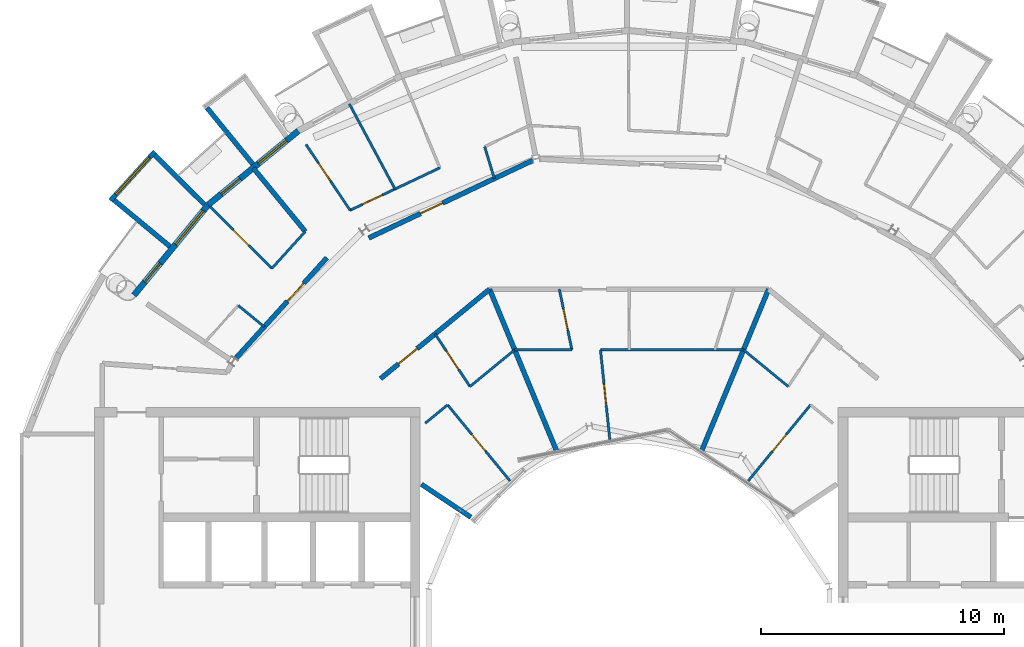
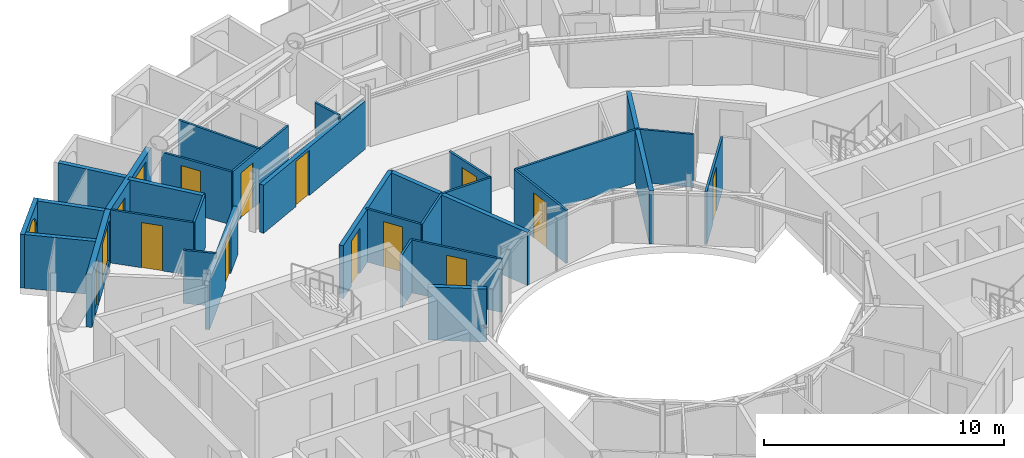
# One storey, part 20 of 27: 30 walls, 13 doors, 3 windows, 16 openings.
"""IFC4 building model written with IfcOpenShell, lengths in metres."""

from ifc_helpers import new_model, si_unit, direction, frame, frame_2d, origin, place, context, subcontext, project, spatial, rectangle, circle, extrude, material, layer, layer_set, type_object, element, fill, save


model = new_model("IFC4")

# Units and contexts
model_context = context("Model", 3, precision=1e-05, world=origin(), true_north=direction((0.0, 1.0)))
body_context = subcontext(model_context, "Body", "Model", "MODEL_VIEW")
ifc_project = project(units=[si_unit("LENGTHUNIT", "METRE"), si_unit("AREAUNIT", "SQUARE_METRE"), si_unit("VOLUMEUNIT", "CUBIC_METRE"), si_unit("PLANEANGLEUNIT", "RADIAN"), si_unit("MASSUNIT", "GRAM", prefix="KILO")], contexts=[model_context])

# Site, building, storey
site_placement = place(None, origin())
site = spatial("IfcSite", under=ifc_project, at=site_placement, CompositionType="ELEMENT")
building_placement = place(site_placement, origin())
building = spatial("IfcBuilding", under=site, at=building_placement, Name="Maasbend Ring Residences", CompositionType="ELEMENT")
storey_placement = place(building_placement, frame((0.0, 0.0, 243.199951171875)))
storey = spatial("IfcBuildingStorey", under=building, at=storey_placement, Name="L70", CompositionType="ELEMENT", Elevation=243.199951171875)

# Wall, opening, door
ifc_material_1 = material(Name="Concrete C30/37", Category="concrete")
ifc_layer_1 = layer(ifc_material_1, 0.199951171875)
ifc_layer_set_1 = layer_set([ifc_layer_1], Name="Concrete C30/37")
wall_type_1 = type_object("IfcWallType", Name="CORRIDOR WALL 200 CONCRETE", PredefinedType="PARTITIONING", material=ifc_layer_set_1)
wall_1_placement = place(storey_placement, frame((-10.22802734375, 10.175048828125, 0.0), z_axis=(0.0, 0.0, 1.0), x_axis=(0.772989261861, 0.634419105204, 0.0)))
wall_1 = element("IfcWall", 1, at=wall_1_placement, inside=storey, type_object=wall_type_1, Name="U-L70-w106", PredefinedType="PARTITIONING", context=body_context, shape_type="SweptSolid", body=[
    extrude(rectangle(XDim=5.803466796875, YDim=0.199951171875, at=frame_2d((2.90185546875, 0.0))), origin(), (0.0, 0.0, 1.0), 2.699951171875),
])
opening_1_placement = place(wall_1_placement, frame((0.951904296875, 0.0, 0.0)))
opening_1 = element("IfcOpeningElement", 2, at=opening_1_placement, cuts=wall_1, Name="Opening D-7029", PredefinedType="OPENING", context=body_context, shape_type="SweptSolid", body=[
    extrude(rectangle(XDim=1.0, YDim=2.300048828125, at=frame_2d((0.5, 1.14990234375))), frame((0.0, 0.10986328125, 0.0), z_axis=(0.0, -1.0, 0.0), x_axis=(1.0, 0.0, 0.0)), (0.0, 0.0, 1.0), 0.219970703125),
])
ifc_material_2 = material(Name="Timber, fire-rated, painted", Category="wood")
door_type_1 = type_object("IfcDoorType", Name="FLAT ENTRANCE DOOR 1000 X 2300 FIRE-RATED", OperationType="NOTDEFINED", PredefinedType="DOOR", material=ifc_material_2)
door_1_placement = place(opening_1_placement, origin())
door_1 = element("IfcDoor", 3, at=door_1_placement, inside=storey, type_object=door_type_1, Name="D-7029", OperationType="SINGLE_SWING_LEFT", OverallHeight=2.300048828125, OverallWidth=1.0, PredefinedType="DOOR", context=body_context, shape_type="SweptSolid", body=[
    extrude(rectangle(XDim=1.0, YDim=2.300048828125, at=frame_2d((0.5, 1.14990234375))), frame((0.0, 0.02490234375, 0.0), z_axis=(0.0, -1.0, 0.0), x_axis=(1.0, 0.0, 0.0)), (0.0, 0.0, 1.0), 0.050048828125),
])
fill(opening_1, door_1)

wall_2_placement = place(storey_placement, frame((-10.7119140625, 15.965087890625, 0.0), z_axis=(0.0, 0.0, 1.0), x_axis=(0.903916894048, 0.427708134895, 0.0)))
wall_2 = element("IfcWall", 4, at=wall_2_placement, inside=storey, type_object=wall_type_1, Name="U-L70-w108", PredefinedType="PARTITIONING", context=body_context, shape_type="SweptSolid", body=[
    extrude(rectangle(XDim=7.465087890625, YDim=0.199951171875, at=frame_2d((3.732421875, 0.0))), origin(), (0.0, 0.0, 1.0), 2.449951171875),
])
opening_2_placement = place(wall_2_placement, frame((2.35693359375, 0.0, 0.0)))
opening_2 = element("IfcOpeningElement", 5, at=opening_2_placement, cuts=wall_2, Name="Opening D-7013", PredefinedType="OPENING", context=body_context, shape_type="SweptSolid", body=[
    extrude(rectangle(XDim=1.0, YDim=2.300048828125, at=frame_2d((0.5, 1.14990234375))), frame((0.0, 0.10986328125, 0.0), z_axis=(0.0, -1.0, 0.0), x_axis=(1.0, 0.0, 0.0)), (0.0, 0.0, 1.0), 0.219970703125),
])
door_2_placement = place(opening_2_placement, origin())
door_2 = element("IfcDoor", 6, at=door_2_placement, inside=storey, type_object=door_type_1, Name="D-7013", OperationType="SINGLE_SWING_LEFT", OverallHeight=2.300048828125, OverallWidth=1.0, PredefinedType="DOOR", context=body_context, shape_type="SweptSolid", body=[
    extrude(rectangle(XDim=1.0, YDim=2.300048828125, at=frame_2d((0.5, 1.14990234375))), frame((0.0, 0.02490234375, 0.0), z_axis=(0.0, -1.0, 0.0), x_axis=(1.0, 0.0, 0.0)), (0.0, 0.0, 1.0), 0.050048828125),
])
fill(opening_2, door_2)

wall_3_placement = place(storey_placement, frame((-16.195068359375, 11.001953125, 0.0), z_axis=(0.0, 0.0, 1.0), x_axis=(0.671619657805, 0.740896102871, 0.0)))
wall_3 = element("IfcWall", 7, at=wall_3_placement, inside=storey, type_object=wall_type_1, Name="U-L70-w111", PredefinedType="PARTITIONING", context=body_context, shape_type="SweptSolid", body=[
    extrude(rectangle(XDim=5.599853515625, YDim=0.199951171875, at=frame_2d((2.7998046875, 0.0))), origin(), (0.0, 0.0, 1.0), 2.449951171875),
])
opening_3_placement = place(wall_3_placement, frame((3.18310546875, 0.0, 0.0)))
opening_3 = element("IfcOpeningElement", 8, at=opening_3_placement, cuts=wall_3, Name="Opening D-7018", PredefinedType="OPENING", context=body_context, shape_type="SweptSolid", body=[
    extrude(rectangle(XDim=1.0, YDim=2.300048828125, at=frame_2d((0.5, 1.14990234375))), frame((0.0, 0.10986328125, 0.0), z_axis=(0.0, -1.0, 0.0), x_axis=(1.0, 0.0, 0.0)), (0.0, 0.0, 1.0), 0.219970703125),
])
door_3_placement = place(opening_3_placement, origin())
door_3 = element("IfcDoor", 9, at=door_3_placement, inside=storey, type_object=door_type_1, Name="D-7018", OperationType="SINGLE_SWING_RIGHT", OverallHeight=2.300048828125, OverallWidth=1.0, PredefinedType="DOOR", context=body_context, shape_type="SweptSolid", body=[
    extrude(rectangle(XDim=1.0, YDim=2.300048828125, at=frame_2d((0.5, 1.14990234375))), frame((0.0, 0.02490234375, 0.0), z_axis=(0.0, -1.0, 0.0), x_axis=(1.0, 0.0, 0.0)), (0.0, 0.0, 1.0), 0.050048828125),
])
fill(opening_3, door_3)

# Wall
ifc_material_3 = material(Name="Pale anodised aluminium panel", Category="aluminium")
ifc_layer_2 = layer(ifc_material_3, 0.199951171875)
ifc_layer_set_2 = layer_set([ifc_layer_2], Name="EW-BOX")
wall_type_2 = type_object("IfcWallType", Name="EW-BOX", PredefinedType="SOLIDWALL", material=ifc_layer_set_2)
wall_4_placement = place(storey_placement, frame((-15.47900390625, 19.0, -0.030029296875), z_axis=(0.0, 0.0, 1.0), x_axis=(-0.631209771017, 0.775612161439, 0.0)))
element("IfcWall", 10, at=wall_4_placement, inside=storey, type_object=wall_type_2, Name="Box side wall N17 right", PredefinedType="SOLIDWALL", context=body_context, shape_type="SweptSolid", body=[
    extrude(rectangle(XDim=2.992431640625, YDim=0.199951171875, at=frame_2d((1.49609375, 0.0))), origin(), (0.0, 0.0, 1.0), 2.72998046875),
])

# Wall, opening, window
wall_5_placement = place(storey_placement, frame((-19.512939453125, 19.52001953125, -0.030029296875), z_axis=(0.0, 0.0, 1.0), x_axis=(-0.671487056022, -0.741016284298, 0.0)))
wall_5 = element("IfcWall", 11, at=wall_5_placement, inside=storey, type_object=wall_type_2, Name="Box front N19", PredefinedType="SOLIDWALL", context=body_context, shape_type="SweptSolid", body=[
    extrude(rectangle(XDim=2.7177734375, YDim=0.199951171875, at=frame_2d((1.35888671875, 0.0))), origin(), (0.0, 0.0, 1.0), 2.72998046875),
])
opening_4_placement = place(wall_5_placement, frame((0.319091796875, 0.0, 0.330078125)))
opening_4 = element("IfcOpeningElement", 12, at=opening_4_placement, cuts=wall_5, Name="Opening W-RD", PredefinedType="OPENING", context=body_context, shape_type="SweptSolid", body=[
    extrude(circle(Radius=1.0400390625, at=frame_2d((1.0400390625, 1.0400390625))), frame((0.0, 0.10986328125, 0.0), z_axis=(0.0, -1.0, 0.0), x_axis=(1.0, 0.0, 0.0)), (0.0, 0.0, 1.0), 0.219970703125),
])
ifc_material_4 = material(Name="Aluminium and clear glass", Category="aluminium")
window_type_1 = type_object("IfcWindowType", Name="W-RD", PartitioningType="SINGLE_PANEL", PredefinedType="WINDOW", material=ifc_material_4)
window_1_placement = place(opening_4_placement, origin())
window_1 = element("IfcWindow", 13, at=window_1_placement, inside=storey, type_object=window_type_1, Name="Round window N19", OverallHeight=2.080078125, OverallWidth=2.080078125, PartitioningType="SINGLE_PANEL", PredefinedType="WINDOW", context=body_context, shape_type="SweptSolid", body=[
    extrude(circle(Radius=1.0400390625, at=frame_2d((1.0400390625, 1.0400390625))), frame((0.0, 0.030029296875, 0.0), z_axis=(0.0, -1.0, 0.0), x_axis=(1.0, 0.0, 0.0)), (0.0, 0.0, 1.0), 0.06005859375),
])
fill(opening_4, window_1)

# Walls
wall_6_placement = place(storey_placement, frame((-17.469970703125, 17.343994140625, -0.030029296875), z_axis=(0.0, 0.0, 1.0), x_axis=(-0.709896457854, 0.704306055012, 0.0)))
element("IfcWall", 14, at=wall_6_placement, inside=storey, type_object=wall_type_2, Name="Box side wall N19 left", PredefinedType="SOLIDWALL", context=body_context, shape_type="SweptSolid", body=[
    extrude(rectangle(XDim=2.88232421875, YDim=0.199951171875, at=frame_2d((1.441162109375, 0.0))), origin(), (0.0, 0.0, 1.0), 2.72998046875),
])
wall_7_placement = place(storey_placement, frame((-18.887939453125, 15.614990234375, -0.030029296875), z_axis=(0.0, 0.0, 1.0), x_axis=(-0.770489638069, 0.637452521862, 0.0)))
element("IfcWall", 15, at=wall_7_placement, inside=storey, type_object=wall_type_2, Name="Box side wall N19 right", PredefinedType="SOLIDWALL", context=body_context, shape_type="SweptSolid", body=[
    extrude(rectangle(XDim=2.9931640625, YDim=0.199951171875, at=frame_2d((1.49658203125, 0.0))), origin(), (0.0, 0.0, 1.0), 2.72998046875),
])

# Wall, openings, door, window
ifc_material_5 = material(Name="Aluminium clad insulated panel", Category="aluminium")
ifc_layer_3 = layer(ifc_material_5, 0.25)
ifc_layer_set_3 = layer_set([ifc_layer_3], Name="EW-GL")
wall_type_3 = type_object("IfcWallType", Name="EW-GL", PredefinedType="SOLIDWALL", material=ifc_layer_set_3)
wall_8_placement = place(storey_placement, frame((-13.611083984375, 20.37109375, 0.0), z_axis=(0.0, 0.0, 1.0), x_axis=(-0.773007538262, -0.634396836208, 0.0)))
wall_8 = element("IfcWall", 16, at=wall_8_placement, inside=storey, type_object=wall_type_3, Name="External wall N09", PredefinedType="SOLIDWALL", context=body_context, shape_type="SweptSolid", body=[
    extrude(rectangle(XDim=4.80322265625, YDim=0.25, at=frame_2d((2.401611328125, 0.0))), origin(), (0.0, 0.0, 1.0), 2.699951171875),
])
opening_5_placement = place(wall_8_placement, frame((0.6201171875, 0.0, 0.300048828125)))
opening_5 = element("IfcOpeningElement", 17, at=opening_5_placement, cuts=wall_8, Name="Opening W-BN", PredefinedType="OPENING", context=body_context, shape_type="SweptSolid", body=[
    extrude(rectangle(XDim=1.5, YDim=2.10009765625, at=frame_2d((0.75, 1.050048828125))), frame((0.0, 0.135009765625, 0.0), z_axis=(0.0, -1.0, 0.0), x_axis=(1.0, 0.0, 0.0)), (0.0, 0.0, 1.0), 0.27001953125),
])
opening_6_placement = place(wall_8_placement, frame((3.09912109375, 0.0, 0.0)))
opening_6 = element("IfcOpeningElement", 18, at=opening_6_placement, cuts=wall_8, Name="Opening D-LG", PredefinedType="OPENING", context=body_context, shape_type="SweptSolid", body=[
    extrude(rectangle(XDim=1.0, YDim=2.199951171875, at=frame_2d((0.5, 1.10009765625))), frame((0.0, 0.135009765625, 0.0), z_axis=(0.0, -1.0, 0.0), x_axis=(1.0, 0.0, 0.0)), (0.0, 0.0, 1.0), 0.27001953125),
])
ifc_material_6 = material(Name="Aluminium and clear glass", Category="aluminium")
door_type_2 = type_object("IfcDoorType", Name="D-LG", OperationType="SINGLE_SWING_LEFT", PredefinedType="DOOR", material=ifc_material_6)
door_4_placement = place(opening_6_placement, origin())
door_4 = element("IfcDoor", 19, at=door_4_placement, inside=storey, type_object=door_type_2, Name="Loggia door N18", OperationType="SINGLE_SWING_LEFT", OverallHeight=2.199951171875, OverallWidth=1.0, PredefinedType="DOOR", context=body_context, shape_type="SweptSolid", body=[
    extrude(rectangle(XDim=1.0, YDim=2.199951171875, at=frame_2d((0.5, 1.10009765625))), frame((0.0, 0.02490234375, 0.0), z_axis=(0.0, -1.0, 0.0), x_axis=(1.0, 0.0, 0.0)), (0.0, 0.0, 1.0), 0.050048828125),
])
fill(opening_6, door_4)
ifc_material_7 = material(Name="Aluminium and clear glass", Category="aluminium")
window_type_2 = type_object("IfcWindowType", Name="W-BN", PartitioningType="SINGLE_PANEL", PredefinedType="WINDOW", material=ifc_material_7)
window_2_placement = place(opening_5_placement, origin())
window_2 = element("IfcWindow", 20, at=window_2_placement, inside=storey, type_object=window_type_2, Name="Window N17 room to box", OverallHeight=2.10009765625, OverallWidth=1.5, PartitioningType="SINGLE_PANEL", PredefinedType="WINDOW", context=body_context, shape_type="SweptSolid", body=[
    extrude(rectangle(XDim=1.5, YDim=2.10009765625, at=frame_2d((0.75, 1.050048828125))), frame((0.0, 0.030029296875, 0.0), z_axis=(0.0, -1.0, 0.0), x_axis=(1.0, 0.0, 0.0)), (0.0, 0.0, 1.0), 0.06005859375),
])
fill(opening_5, window_2)

wall_9_placement = place(storey_placement, frame((-17.323974609375, 17.323974609375, 0.0), z_axis=(0.0, 0.0, 1.0), x_axis=(-0.634396836208, -0.773007538262, 0.0)))
wall_9 = element("IfcWall", 21, at=wall_9_placement, inside=storey, type_object=wall_type_3, Name="External wall N10", PredefinedType="SOLIDWALL", context=body_context, shape_type="SweptSolid", body=[
    extrude(rectangle(XDim=4.80322265625, YDim=0.25, at=frame_2d((2.401611328125, 0.0))), origin(), (0.0, 0.0, 1.0), 2.699951171875),
])
opening_7_placement = place(wall_9_placement, frame((0.3037109375, 0.0, 0.300048828125)))
opening_7 = element("IfcOpeningElement", 22, at=opening_7_placement, cuts=wall_9, Name="Opening W-BX", PredefinedType="OPENING", context=body_context, shape_type="SweptSolid", body=[
    extrude(rectangle(XDim=1.800048828125, YDim=2.10009765625, at=frame_2d((0.89990234375, 1.050048828125))), frame((0.0, 0.135009765625, 0.0), z_axis=(0.0, -1.0, 0.0), x_axis=(1.0, 0.0, 0.0)), (0.0, 0.0, 1.0), 0.27001953125),
])
opening_8_placement = place(wall_9_placement, frame((3.09912109375, 0.0, 0.0)))
opening_8 = element("IfcOpeningElement", 23, at=opening_8_placement, cuts=wall_9, Name="Opening D-LG", PredefinedType="OPENING", context=body_context, shape_type="SweptSolid", body=[
    extrude(rectangle(XDim=1.0, YDim=2.199951171875, at=frame_2d((0.5, 1.10009765625))), frame((0.0, 0.135009765625, 0.0), z_axis=(0.0, -1.0, 0.0), x_axis=(1.0, 0.0, 0.0)), (0.0, 0.0, 1.0), 0.27001953125),
])
door_5_placement = place(opening_8_placement, origin())
door_5 = element("IfcDoor", 24, at=door_5_placement, inside=storey, type_object=door_type_2, Name="Loggia door N20", OperationType="SINGLE_SWING_LEFT", OverallHeight=2.199951171875, OverallWidth=1.0, PredefinedType="DOOR", context=body_context, shape_type="SweptSolid", body=[
    extrude(rectangle(XDim=1.0, YDim=2.199951171875, at=frame_2d((0.5, 1.10009765625))), frame((0.0, 0.02490234375, 0.0), z_axis=(0.0, -1.0, 0.0), x_axis=(1.0, 0.0, 0.0)), (0.0, 0.0, 1.0), 0.050048828125),
])
fill(opening_8, door_5)
ifc_material_8 = material(Name="Aluminium and clear glass", Category="aluminium")
window_type_3 = type_object("IfcWindowType", Name="W-BX", PartitioningType="DOUBLE_PANEL_VERTICAL", PredefinedType="WINDOW", material=ifc_material_8)
window_3_placement = place(opening_7_placement, origin())
window_3 = element("IfcWindow", 25, at=window_3_placement, inside=storey, type_object=window_type_3, Name="Window N19 room to box", OverallHeight=2.10009765625, OverallWidth=1.800048828125, PartitioningType="SINGLE_PANEL", PredefinedType="WINDOW", context=body_context, shape_type="SweptSolid", body=[
    extrude(rectangle(XDim=1.800048828125, YDim=2.10009765625, at=frame_2d((0.89990234375, 1.050048828125))), frame((0.0, 0.030029296875, 0.0), z_axis=(0.0, -1.0, 0.0), x_axis=(1.0, 0.0, 0.0)), (0.0, 0.0, 1.0), 0.06005859375),
])
fill(opening_7, window_3)

# Wall, opening, door
ifc_material_9 = material(Name="Gypsum board on steel studs", Category="steel")
ifc_layer_4 = layer(ifc_material_9, 0.10009765625)
ifc_layer_set_4 = layer_set([ifc_layer_4], Name="PARTITION 100 GYPSUM")
wall_type_4 = type_object("IfcWallType", Name="PARTITION 100 GYPSUM", PredefinedType="PARTITIONING", material=ifc_layer_set_4)
wall_10_placement = place(storey_placement, frame((-17.22998046875, 17.240966796875, 0.0), z_axis=(0.0, 0.0, 1.0), x_axis=(0.706833687935, -0.707379769007, 0.0)))
wall_10 = element("IfcWall", 26, at=wall_10_placement, inside=storey, type_object=wall_type_4, Name="U-L70-w036", PredefinedType="PARTITIONING", context=body_context, shape_type="SweptSolid", body=[
    extrude(rectangle(XDim=3.57666015625, YDim=0.10009765625, at=frame_2d((1.788330078125, 0.0))), origin(), (0.0, 0.0, 1.0), 2.699951171875),
])
opening_9_placement = place(wall_10_placement, frame((1.337890625, 0.0, 0.0)))
opening_9 = element("IfcOpeningElement", 27, at=opening_9_placement, cuts=wall_10, Name="Opening D-7020", PredefinedType="OPENING", context=body_context, shape_type="SweptSolid", body=[
    extrude(rectangle(XDim=0.89990234375, YDim=2.300048828125, at=frame_2d((0.449951171875, 1.14990234375))), frame((0.0, 0.06005859375, 0.0), z_axis=(0.0, -1.0, 0.0), x_axis=(1.0, 0.0, 0.0)), (0.0, 0.0, 1.0), 0.1201171875),
])
ifc_material_10 = material(Name="Timber, painted", Category="wood")
door_type_3 = type_object("IfcDoorType", Name="INTERNAL DOOR 900 X 2300", OperationType="NOTDEFINED", PredefinedType="DOOR", material=ifc_material_10)
door_6_placement = place(opening_9_placement, origin())
door_6 = element("IfcDoor", 28, at=door_6_placement, inside=storey, type_object=door_type_3, Name="D-7020", OperationType="SINGLE_SWING_LEFT", OverallHeight=2.300048828125, OverallWidth=0.89990234375, PredefinedType="DOOR", context=body_context, shape_type="SweptSolid", body=[
    extrude(rectangle(XDim=0.89990234375, YDim=2.300048828125, at=frame_2d((0.449951171875, 1.14990234375))), frame((0.0, 0.02490234375, 0.0), z_axis=(0.0, -1.0, 0.0), x_axis=(1.0, 0.0, 0.0)), (0.0, 0.0, 1.0), 0.050048828125),
])
fill(opening_9, door_6)

# Wall
wall_11_placement = place(storey_placement, frame((-16.0810546875, 13.18896484375, 0.0), z_axis=(0.0, 0.0, 1.0), x_axis=(0.773321325714, -0.634014295735, 0.0)))
element("IfcWall", 29, at=wall_11_placement, inside=storey, type_object=wall_type_4, Name="U-L70-w037", PredefinedType="PARTITIONING", context=body_context, shape_type="SweptSolid", body=[
    extrude(rectangle(XDim=1.38623046875, YDim=0.10009765625, at=frame_2d((0.693115234375, 0.0))), origin(), (0.0, 0.0, 1.0), 2.699951171875),
])

# Wall, opening, door
wall_12_placement = place(storey_placement, frame((-13.2939453125, 19.81298828125, 0.0), z_axis=(0.0, 0.0, 1.0), x_axis=(0.557289656456, -0.830318155171, 0.0)))
wall_12 = element("IfcWall", 30, at=wall_12_placement, inside=storey, type_object=wall_type_4, Name="U-L70-w041", PredefinedType="PARTITIONING", context=body_context, shape_type="SweptSolid", body=[
    extrude(rectangle(XDim=3.26025390625, YDim=0.10009765625, at=frame_2d((1.630126953125, 0.0))), origin(), (0.0, 0.0, 1.0), 2.699951171875),
])
opening_10_placement = place(wall_12_placement, frame((0.922119140625, 0.0, 0.0)))
opening_10 = element("IfcOpeningElement", 31, at=opening_10_placement, cuts=wall_12, Name="Opening D-7017", PredefinedType="OPENING", context=body_context, shape_type="SweptSolid", body=[
    extrude(rectangle(XDim=0.89990234375, YDim=2.300048828125, at=frame_2d((0.449951171875, 1.14990234375))), frame((0.0, 0.06005859375, 0.0), z_axis=(0.0, -1.0, 0.0), x_axis=(1.0, 0.0, 0.0)), (0.0, 0.0, 1.0), 0.1201171875),
])
door_7_placement = place(opening_10_placement, origin())
door_7 = element("IfcDoor", 32, at=door_7_placement, inside=storey, type_object=door_type_3, Name="D-7017", OperationType="SINGLE_SWING_LEFT", OverallHeight=2.300048828125, OverallWidth=0.89990234375, PredefinedType="DOOR", context=body_context, shape_type="SweptSolid", body=[
    extrude(rectangle(XDim=0.89990234375, YDim=2.300048828125, at=frame_2d((0.449951171875, 1.14990234375))), frame((0.0, 0.02490234375, 0.0), z_axis=(0.0, -1.0, 0.0), x_axis=(1.0, 0.0, 0.0)), (0.0, 0.0, 1.0), 0.050048828125),
])
fill(opening_10, door_7)

# Wall
wall_13_placement = place(storey_placement, frame((-11.510986328125, 21.486083984375, 0.0), z_axis=(0.0, 0.0, 1.0), x_axis=(0.472243548981, -0.88146811085, 0.0)))
element("IfcWall", 33, at=wall_13_placement, inside=storey, type_object=wall_type_4, Name="U-L70-w043", PredefinedType="PARTITIONING", context=body_context, shape_type="SweptSolid", body=[
    extrude(rectangle(XDim=3.978759765625, YDim=0.10009765625, at=frame_2d((1.9892578125, 0.0))), origin(), (0.0, 0.0, 1.0), 2.699951171875),
])

# Wall, opening, door
wall_14_placement = place(storey_placement, frame((-7.98388671875, 12.01708984375, 0.0), z_axis=(0.0, 0.0, 1.0), x_axis=(0.553289146762, -0.832989267683, 0.0)))
wall_14 = element("IfcWall", 34, at=wall_14_placement, inside=storey, type_object=wall_type_4, Name="U-L70-w046", PredefinedType="PARTITIONING", context=body_context, shape_type="SweptSolid", body=[
    extrude(rectangle(XDim=2.5966796875, YDim=0.10009765625, at=frame_2d((1.29833984375, 0.0))), origin(), (0.0, 0.0, 1.0), 2.699951171875),
])
opening_11_placement = place(wall_14_placement, frame((0.847900390625, 0.0, 0.0)))
opening_11 = element("IfcOpeningElement", 35, at=opening_11_placement, cuts=wall_14, Name="Opening D-7030", PredefinedType="OPENING", context=body_context, shape_type="SweptSolid", body=[
    extrude(rectangle(XDim=0.89990234375, YDim=2.300048828125, at=frame_2d((0.449951171875, 1.14990234375))), frame((0.0, 0.06005859375, 0.0), z_axis=(0.0, -1.0, 0.0), x_axis=(1.0, 0.0, 0.0)), (0.0, 0.0, 1.0), 0.1201171875),
])
door_8_placement = place(opening_11_placement, origin())
door_8 = element("IfcDoor", 36, at=door_8_placement, inside=storey, type_object=door_type_3, Name="D-7030", OperationType="SINGLE_SWING_RIGHT", OverallHeight=2.300048828125, OverallWidth=0.89990234375, PredefinedType="DOOR", context=body_context, shape_type="SweptSolid", body=[
    extrude(rectangle(XDim=0.89990234375, YDim=2.300048828125, at=frame_2d((0.449951171875, 1.14990234375))), frame((0.0, 0.02490234375, 0.0), z_axis=(0.0, -1.0, 0.0), x_axis=(1.0, 0.0, 0.0)), (0.0, 0.0, 1.0), 0.050048828125),
])
fill(opening_11, door_8)

wall_15_placement = place(storey_placement, frame((-7.467041015625, 9.09912109375, 0.0), z_axis=(0.0, 0.0, 1.0), x_axis=(0.634313840507, -0.773075644256, 0.0)))
wall_15 = element("IfcWall", 37, at=wall_15_placement, inside=storey, type_object=wall_type_4, Name="U-L70-w049", PredefinedType="PARTITIONING", context=body_context, shape_type="SweptSolid", body=[
    extrude(rectangle(XDim=4.05029296875, YDim=0.10009765625, at=frame_2d((2.025146484375, 0.0))), origin(), (0.0, 0.0, 1.0), 2.699951171875),
])
opening_12_placement = place(wall_15_placement, frame((1.574951171875, 0.0, 0.0)))
opening_12 = element("IfcOpeningElement", 38, at=opening_12_placement, cuts=wall_15, Name="Opening D-7031", PredefinedType="OPENING", context=body_context, shape_type="SweptSolid", body=[
    extrude(rectangle(XDim=0.89990234375, YDim=2.300048828125, at=frame_2d((0.449951171875, 1.14990234375))), frame((0.0, 0.06005859375, 0.0), z_axis=(0.0, -1.0, 0.0), x_axis=(1.0, 0.0, 0.0)), (0.0, 0.0, 1.0), 0.1201171875),
])
door_9_placement = place(opening_12_placement, origin())
door_9 = element("IfcDoor", 39, at=door_9_placement, inside=storey, type_object=door_type_3, Name="D-7031", OperationType="SINGLE_SWING_RIGHT", OverallHeight=2.300048828125, OverallWidth=0.89990234375, PredefinedType="DOOR", context=body_context, shape_type="SweptSolid", body=[
    extrude(rectangle(XDim=0.89990234375, YDim=2.300048828125, at=frame_2d((0.449951171875, 1.14990234375))), frame((0.0, 0.02490234375, 0.0), z_axis=(0.0, -1.0, 0.0), x_axis=(1.0, 0.0, 0.0)), (0.0, 0.0, 1.0), 0.050048828125),
])
fill(opening_12, door_9)

# Wall
wall_16_placement = place(storey_placement, frame((-5.94189453125, 19.72412109375, 0.0), z_axis=(0.0, 0.0, 1.0), x_axis=(0.288309871528, -0.957537162715, 0.0)))
element("IfcWall", 40, at=wall_16_placement, inside=storey, type_object=wall_type_4, Name="U-L70-w051", PredefinedType="PARTITIONING", context=body_context, shape_type="SweptSolid", body=[
    extrude(rectangle(XDim=1.37353515625, YDim=0.10009765625, at=frame_2d((0.686767578125, 0.0))), origin(), (0.0, 0.0, 1.0), 2.699951171875),
])

# Wall, opening, door
wall_17_placement = place(storey_placement, frame((-2.8701171875, 13.85791015625, 0.0), z_axis=(0.0, 0.0, 1.0), x_axis=(0.202656323101, -0.979249924538, 0.0)))
wall_17 = element("IfcWall", 41, at=wall_17_placement, inside=storey, type_object=wall_type_4, Name="U-L70-w057", PredefinedType="PARTITIONING", context=body_context, shape_type="SweptSolid", body=[
    extrude(rectangle(XDim=2.546630859375, YDim=0.10009765625, at=frame_2d((1.2734375, 0.0))), origin(), (0.0, 0.0, 1.0), 2.699951171875),
])
opening_13_placement = place(wall_17_placement, frame((0.822998046875, 0.0, 0.0)))
opening_13 = element("IfcOpeningElement", 42, at=opening_13_placement, cuts=wall_17, Name="Opening D-7025", PredefinedType="OPENING", context=body_context, shape_type="SweptSolid", body=[
    extrude(rectangle(XDim=0.89990234375, YDim=2.300048828125, at=frame_2d((0.449951171875, 1.14990234375))), frame((0.0, 0.06005859375, 0.0), z_axis=(0.0, -1.0, 0.0), x_axis=(1.0, 0.0, 0.0)), (0.0, 0.0, 1.0), 0.1201171875),
])
door_10_placement = place(opening_13_placement, origin())
door_10 = element("IfcDoor", 43, at=door_10_placement, inside=storey, type_object=door_type_3, Name="D-7025", OperationType="SINGLE_SWING_RIGHT", OverallHeight=2.300048828125, OverallWidth=0.89990234375, PredefinedType="DOOR", context=body_context, shape_type="SweptSolid", body=[
    extrude(rectangle(XDim=0.89990234375, YDim=2.300048828125, at=frame_2d((0.449951171875, 1.14990234375))), frame((0.0, 0.02490234375, 0.0), z_axis=(0.0, -1.0, 0.0), x_axis=(1.0, 0.0, 0.0)), (0.0, 0.0, 1.0), 0.050048828125),
])
fill(opening_13, door_10)

wall_18_placement = place(storey_placement, frame((-1.177001953125, 11.364013671875, 0.0), z_axis=(0.0, 0.0, 1.0), x_axis=(0.103130722413, -0.994667810927, 0.0)))
wall_18 = element("IfcWall", 44, at=wall_18_placement, inside=storey, type_object=wall_type_4, Name="U-L70-w060", PredefinedType="PARTITIONING", context=body_context, shape_type="SweptSolid", body=[
    extrude(rectangle(XDim=3.704833984375, YDim=0.10009765625, at=frame_2d((1.8525390625, 0.0))), origin(), (0.0, 0.0, 1.0), 2.699951171875),
])
opening_14_placement = place(wall_18_placement, frame((1.402099609375, 0.0, 0.0)))
opening_14 = element("IfcOpeningElement", 45, at=opening_14_placement, cuts=wall_18, Name="Opening D-7028", PredefinedType="OPENING", context=body_context, shape_type="SweptSolid", body=[
    extrude(rectangle(XDim=0.89990234375, YDim=2.300048828125, at=frame_2d((0.449951171875, 1.14990234375))), frame((0.0, 0.06005859375, 0.0), z_axis=(0.0, -1.0, 0.0), x_axis=(1.0, 0.0, 0.0)), (0.0, 0.0, 1.0), 0.1201171875),
])
door_11_placement = place(opening_14_placement, origin())
door_11 = element("IfcDoor", 46, at=door_11_placement, inside=storey, type_object=door_type_3, Name="D-7028", OperationType="SINGLE_SWING_RIGHT", OverallHeight=2.300048828125, OverallWidth=0.89990234375, PredefinedType="DOOR", context=body_context, shape_type="SweptSolid", body=[
    extrude(rectangle(XDim=0.89990234375, YDim=2.300048828125, at=frame_2d((0.449951171875, 1.14990234375))), frame((0.0, 0.02490234375, 0.0), z_axis=(0.0, -1.0, 0.0), x_axis=(1.0, 0.0, 0.0)), (0.0, 0.0, 1.0), 0.050048828125),
])
fill(opening_14, door_11)

wall_19_placement = place(storey_placement, frame((4.89794921875, 5.968017578125, 0.0), z_axis=(0.0, 0.0, 1.0), x_axis=(0.634313840507, 0.773075644256, 0.0)))
wall_19 = element("IfcWall", 47, at=wall_19_placement, inside=storey, type_object=wall_type_4, Name="U-L70-w074", PredefinedType="PARTITIONING", context=body_context, shape_type="SweptSolid", body=[
    extrude(rectangle(XDim=4.05029296875, YDim=0.10009765625, at=frame_2d((2.025146484375, 0.0))), origin(), (0.0, 0.0, 1.0), 2.699951171875),
])
opening_15_placement = place(wall_19_placement, frame((1.574951171875, 0.0, 0.0)))
opening_15 = element("IfcOpeningElement", 48, at=opening_15_placement, cuts=wall_19, Name="Opening D-7023", PredefinedType="OPENING", context=body_context, shape_type="SweptSolid", body=[
    extrude(rectangle(XDim=0.89990234375, YDim=2.300048828125, at=frame_2d((0.449951171875, 1.14990234375))), frame((0.0, 0.06005859375, 0.0), z_axis=(0.0, -1.0, 0.0), x_axis=(1.0, 0.0, 0.0)), (0.0, 0.0, 1.0), 0.1201171875),
])
door_12_placement = place(opening_15_placement, origin())
door_12 = element("IfcDoor", 49, at=door_12_placement, inside=storey, type_object=door_type_3, Name="D-7023", OperationType="SINGLE_SWING_RIGHT", OverallHeight=2.300048828125, OverallWidth=0.89990234375, PredefinedType="DOOR", context=body_context, shape_type="SweptSolid", body=[
    extrude(rectangle(XDim=0.89990234375, YDim=2.300048828125, at=frame_2d((0.449951171875, 1.14990234375))), frame((0.0, 0.02490234375, 0.0), z_axis=(0.0, -1.0, 0.0), x_axis=(1.0, 0.0, 0.0)), (0.0, 0.0, 1.0), 0.050048828125),
])
fill(opening_15, door_12)

# Walls
wall_20_placement = place(storey_placement, frame((-4.70703125, 11.364013671875, 0.0), z_axis=(0.0, 0.0, 1.0), x_axis=(1.0, 0.0, 0.0)))
element("IfcWall", 50, at=wall_20_placement, inside=storey, type_object=wall_type_4, Name="U-L70-w099", PredefinedType="PARTITIONING", context=body_context, shape_type="SweptSolid", body=[
    extrude(rectangle(XDim=2.35302734375, YDim=0.10009765625, at=frame_2d((1.176513671875, 0.0))), origin(), (0.0, 0.0, 1.0), 2.699951171875),
])
wall_21_placement = place(storey_placement, frame((-1.177001953125, 11.364013671875, 0.0), z_axis=(0.0, 0.0, 1.0), x_axis=(1.0, 0.0, 0.0)))
element("IfcWall", 51, at=wall_21_placement, inside=storey, type_object=wall_type_4, Name="U-L70-w100", PredefinedType="PARTITIONING", context=body_context, shape_type="SweptSolid", body=[
    extrude(rectangle(XDim=5.884033203125, YDim=0.10009765625, at=frame_2d((2.94189453125, 0.0))), origin(), (0.0, 0.0, 1.0), 2.699951171875),
])
wall_22_placement = place(storey_placement, frame((-8.386962890625, 8.343994140625, 0.0), z_axis=(0.0, 0.0, 1.0), x_axis=(0.772869802794, 0.634564628646, 0.0)))
element("IfcWall", 52, at=wall_22_placement, inside=storey, type_object=wall_type_4, Name="U-L70-w101", PredefinedType="PARTITIONING", context=body_context, shape_type="SweptSolid", body=[
    extrude(rectangle(XDim=1.191650390625, YDim=0.10009765625, at=frame_2d((0.595703125, 0.0))), origin(), (0.0, 0.0, 1.0), 2.699951171875),
])
for number, where, z_axis, x_axis, name in (
    (53, (-6.547119140625, 9.85400390625, 0.0), (0.0, 0.0, 1.0), (0.773033390712, 0.634365333893, 0.0), "U-L70-w102"),
    (54, (4.70703125, 11.364013671875, 0.0), (0.0, 0.0, 1.0), (0.773033390712, -0.634365333893, 0.0), "U-L70-w103"),
):
    element("IfcWall", number, at=place(storey_placement, frame(where, z_axis=z_axis, x_axis=x_axis)), inside=storey, type_object=wall_type_4, Name=name, PredefinedType="PARTITIONING", context=body_context, shape_type="SweptSolid", body=[
        extrude(rectangle(XDim=2.38037109375, YDim=0.10009765625, at=frame_2d((1.190185546875, 0.0))), origin(), (0.0, 0.0, 1.0), 2.699951171875),
    ])

# Wall, opening, door
wall_23_placement = place(storey_placement, frame((-11.47705078125, 17.10595703125, 0.0), z_axis=(0.0, 0.0, 1.0), x_axis=(0.903998300084, 0.427536049292, 0.0)))
wall_23 = element("IfcWall", 55, at=wall_23_placement, inside=storey, type_object=wall_type_4, Name="U-L70-w115", PredefinedType="PARTITIONING", context=body_context, shape_type="SweptSolid", body=[
    extrude(rectangle(XDim=4.081787109375, YDim=0.10009765625, at=frame_2d((2.041015625, 0.0))), origin(), (0.0, 0.0, 1.0), 2.699951171875),
])
opening_16_placement = place(wall_23_placement, frame((0.572998046875, 0.0, 0.0)))
opening_16 = element("IfcOpeningElement", 56, at=opening_16_placement, cuts=wall_23, Name="Opening D-7016", PredefinedType="OPENING", context=body_context, shape_type="SweptSolid", body=[
    extrude(rectangle(XDim=0.89990234375, YDim=2.300048828125, at=frame_2d((0.449951171875, 1.14990234375))), frame((0.0, 0.06005859375, 0.0), z_axis=(0.0, -1.0, 0.0), x_axis=(1.0, 0.0, 0.0)), (0.0, 0.0, 1.0), 0.1201171875),
])
door_13_placement = place(opening_16_placement, origin())
door_13 = element("IfcDoor", 57, at=door_13_placement, inside=storey, type_object=door_type_3, Name="D-7016", OperationType="SINGLE_SWING_LEFT", OverallHeight=2.300048828125, OverallWidth=0.89990234375, PredefinedType="DOOR", context=body_context, shape_type="SweptSolid", body=[
    extrude(rectangle(XDim=0.89990234375, YDim=2.300048828125, at=frame_2d((0.449951171875, 1.14990234375))), frame((0.0, 0.02490234375, 0.0), z_axis=(0.0, -1.0, 0.0), x_axis=(1.0, 0.0, 0.0)), (0.0, 0.0, 1.0), 0.050048828125),
])
fill(opening_16, door_13)

# Walls
wall_24_placement = place(storey_placement, frame((-14.700927734375, 14.7109375, 0.0), z_axis=(0.0, 0.0, 1.0), x_axis=(0.671678456097, 0.74084279818, 0.0)))
element("IfcWall", 58, at=wall_24_placement, inside=storey, type_object=wall_type_4, Name="U-L70-w122", PredefinedType="PARTITIONING", context=body_context, shape_type="SweptSolid", body=[
    extrude(rectangle(XDim=2.054443359375, YDim=0.10009765625, at=frame_2d((1.02734375, 0.0))), origin(), (0.0, 0.0, 1.0), 2.699951171875),
])
ifc_material_11 = material(Name="Concrete C30/37", Category="concrete")
ifc_layer_5 = layer(ifc_material_11, 0.199951171875)
ifc_layer_set_5 = layer_set([ifc_layer_5], Name="Concrete C30/37")
wall_type_5 = type_object("IfcWallType", Name="PARTY WALL 200 CONCRETE", PredefinedType="PARTITIONING", material=ifc_layer_set_5)
wall_25_placement = place(storey_placement, frame((-15.4619140625, 18.843017578125, 0.0), z_axis=(0.0, 0.0, 1.0), x_axis=(0.63432437119, -0.773067003638, 0.0)))
element("IfcWall", 59, at=wall_25_placement, inside=storey, type_object=wall_type_5, Name="U-L70-w039", PredefinedType="PARTITIONING", context=body_context, shape_type="SweptSolid", body=[
    extrude(rectangle(XDim=3.375, YDim=0.199951171875, at=frame_2d((1.6875, 0.0))), origin(), (0.0, 0.0, 1.0), 2.699951171875),
])
for number, where, z_axis, x_axis, name in (
    (60, (-5.739990234375, 13.85791015625, 0.0), (0.0, 0.0, 1.0), (0.38267858248, -0.923881541385, 0.0), "U-L70-w052"),
    (61, (2.9541015625, 7.132080078125, 0.0), (0.0, 0.0, 1.0), (0.38267858248, 0.923881541385, 0.0), "U-L70-w069"),
):
    element("IfcWall", number, at=place(storey_placement, frame(where, z_axis=z_axis, x_axis=x_axis)), inside=storey, type_object=wall_type_5, Name=name, PredefinedType="PARTITIONING", context=body_context, shape_type="SweptSolid", body=[
        extrude(rectangle(XDim=7.280029296875, YDim=0.199951171875, at=frame_2d((3.64013671875, 0.0))), origin(), (0.0, 0.0, 1.0), 2.699951171875),
    ])
wall_26_placement = place(storey_placement, frame((-6.512939453125, 4.471923828125, 0.0), z_axis=(0.0, 0.0, 1.0), x_axis=(-0.831450132577, 0.555599385382, 0.0)))
element("IfcWall", 62, at=wall_26_placement, inside=storey, type_object=wall_type_5, Name="U-L70-w095", PredefinedType="PARTITIONING", context=body_context, shape_type="SweptSolid", body=[
    extrude(rectangle(XDim=2.442626953125, YDim=0.199951171875, at=frame_2d((1.22119140625, 0.0))), origin(), (0.0, 0.0, 1.0), 2.699951171875),
])

save(model, "model.ifc")
